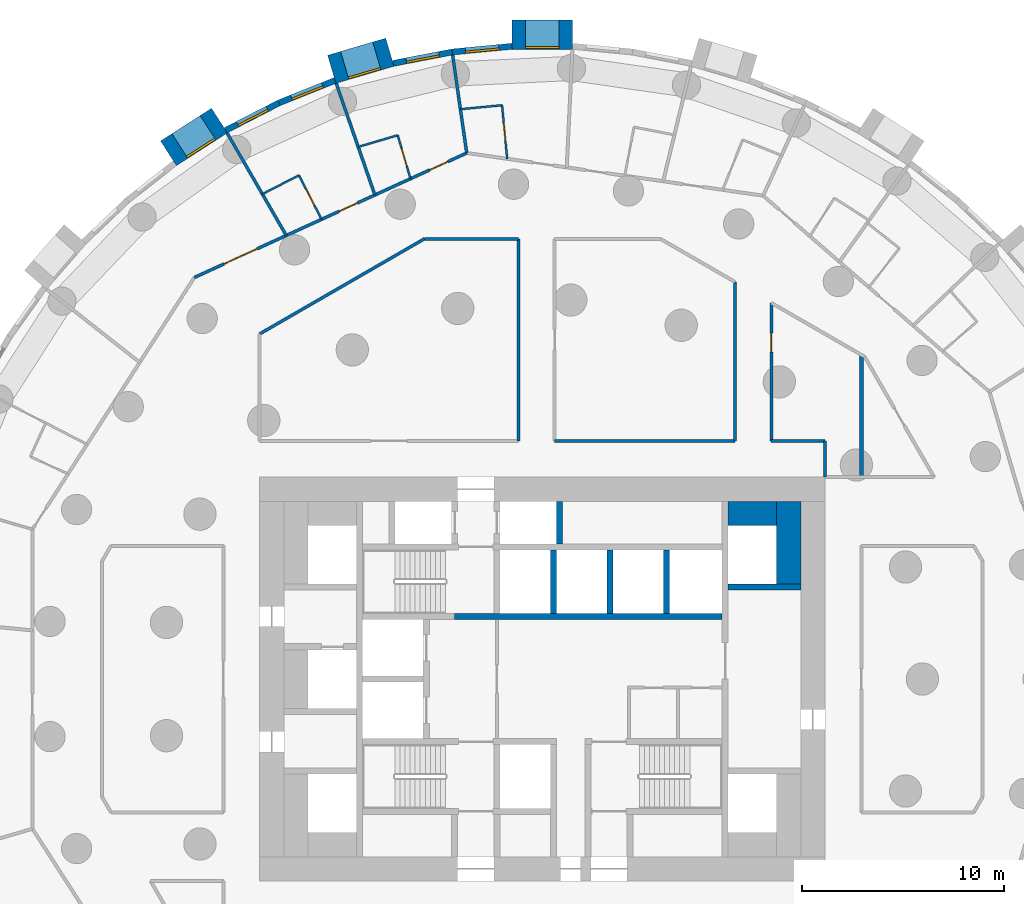
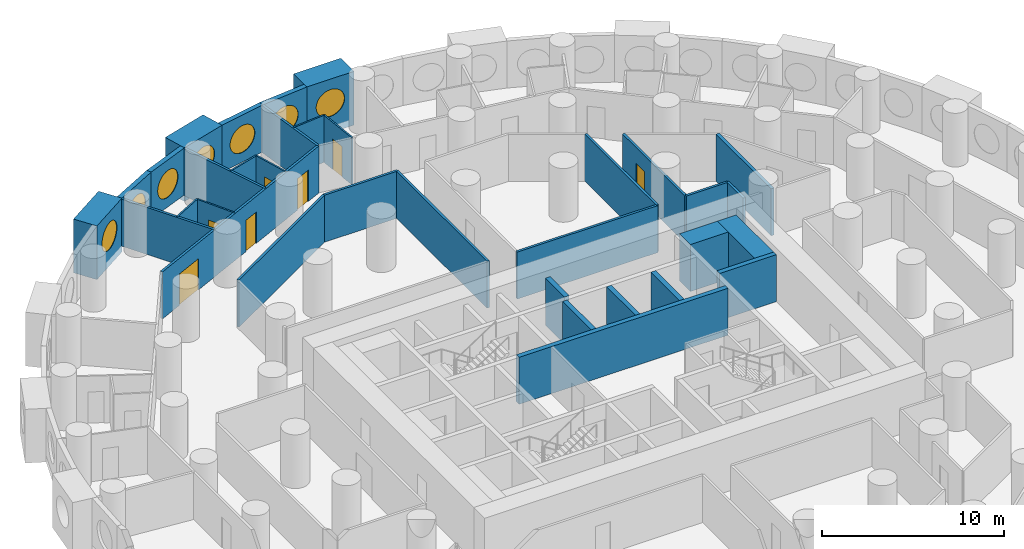
# One storey, part 8 of 12: 34 walls, 7 doors, 7 windows, 14 openings.
"""IFC4 building model written with IfcOpenShell, lengths in metres."""

import ifcopenshell
import ifcopenshell.guid

model = None  # the IFC model being written
_history = None  # IfcOwnerHistory: only IFC2X3 demands one
_inside = {}  # id of a spatial element -> (the spatial element, [elements in it])
_under = {}  # id of a project, library or spatial element -> (it, [spatial elements below it])
_declared = {}  # id of a project -> (the project, [libraries it declares])
_typed = {}  # id of a type object -> (the type object, [elements of that type])
_made_of = {}  # id of a material, layer set ... -> (it, [elements and type objects made of it])


def new_model(schema):
    """Start an empty IFC model of exactly this schema.

    Asked for "IFC4X3", IfcOpenShell would pick the latest addendum, in which some entities
    have other attributes; the version numbers below select the first issue.
    IFC2X3 requires an IfcOwnerHistory on every rooted entity: one is made here for all.
    """
    global model, _history
    if schema == "IFC4X3":
        model = ifcopenshell.file(schema_version=(4, 3, 0, 0))
    else:
        model = ifcopenshell.file(schema=schema)
    _inside.clear()
    _under.clear()
    _declared.clear()
    _typed.clear()
    _made_of.clear()
    _history = None
    if model.schema == "IFC2X3":
        org = make("IfcOrganization", Name="unknown")
        user = make(
            "IfcPersonAndOrganization",
            ThePerson=make("IfcPerson", FamilyName="unknown"),
            TheOrganization=org,
        )
        app = make(
            "IfcApplication",
            ApplicationDeveloper=org,
            Version="unknown",
            ApplicationFullName="unknown",
            ApplicationIdentifier="unknown",
        )
        _history = make(
            "IfcOwnerHistory",
            OwningUser=user,
            OwningApplication=app,
            ChangeAction="ADDED",
            CreationDate=0,
        )
    return model


def make(cls, **values):
    """One entity of the class cls with the attributes given. An attribute that is None is left unset."""
    return model.create_entity(
        cls, **{name: value for name, value in values.items() if value is not None}
    )


def rooted(cls, **values):
    """An entity with a GlobalId (a new one), such as an element, a storey or a relation."""
    return make(cls, GlobalId=ifcopenshell.guid.new(), OwnerHistory=_history, **values)


def si_unit(unit_type, name, prefix=None):
    """IfcSIUnit, for example si_unit("LENGTHUNIT", "METRE", prefix="MILLI")."""
    return make("IfcSIUnit", UnitType=unit_type, Prefix=prefix, Name=name)


def assignment(units):
    """IfcUnitAssignment: the units of a project."""
    return None if units is None else make("IfcUnitAssignment", Units=units)


def point(xyz):
    """IfcCartesianPoint."""
    return None if xyz is None else make("IfcCartesianPoint", Coordinates=xyz)


def direction(xyz):
    """IfcDirection."""
    return None if xyz is None else make("IfcDirection", DirectionRatios=xyz)


def frame(location, z_axis=None, x_axis=None):
    """IfcAxis2Placement3D, a coordinate frame: its origin and axes. An axis left out is left unset."""
    return make(
        "IfcAxis2Placement3D",
        Location=point(location),
        Axis=direction(z_axis),
        RefDirection=direction(x_axis),
    )


def frame_2d(location, x_axis=None):
    """IfcAxis2Placement2D, a coordinate frame in the plane: its origin and x axis."""
    return make(
        "IfcAxis2Placement2D", Location=point(location), RefDirection=direction(x_axis)
    )


def origin():
    """The frame at (0, 0, 0) with its axes left unset."""
    return frame((0.0, 0.0, 0.0))


def origin_2d():
    """The frame at (0, 0) in the plane with its x axis left unset."""
    return frame_2d((0.0, 0.0))


def place(relative_to, where):
    """IfcLocalPlacement: puts the frame where relative to a parent placement (None: the world)."""
    return make(
        "IfcLocalPlacement", PlacementRelTo=relative_to, RelativePlacement=where
    )


def context(
    kind, dimensions, precision=None, world=None, true_north=None, identifier=None
):
    """IfcGeometricRepresentationContext, for example the 3D "Model" context."""
    return make(
        "IfcGeometricRepresentationContext",
        ContextIdentifier=identifier,
        ContextType=kind,
        CoordinateSpaceDimension=dimensions,
        Precision=precision,
        WorldCoordinateSystem=world,
        TrueNorth=true_north,
    )


def subcontext(parent, identifier, kind, view, scale=None):
    """IfcGeometricRepresentationSubContext, for example "Body" below "Model"."""
    return make(
        "IfcGeometricRepresentationSubContext",
        ContextIdentifier=identifier,
        ContextType=kind,
        ParentContext=parent,
        TargetScale=scale,
        TargetView=view,
    )


def project(units=None, contexts=None):
    """IfcProject with its units and contexts."""
    return rooted(
        "IfcProject",
        Name="project",
        RepresentationContexts=contexts,
        UnitsInContext=assignment(units),
    )


def spatial(cls, under=None, at=None, **own):
    """A site, building, storey or space (cls), placed at a placement, below another one or the project."""
    s = rooted(cls, ObjectPlacement=at, **own)
    if under is not None:
        _under.setdefault(under.id(), (under, []))[1].append(s)
    return s


def profile(cls, at=None, kind="AREA", **sizes):
    """A parametric profile (cls). Its sizes go by their IFC names, for example OverallWidth=200.0."""
    return make(cls, ProfileType=kind, Position=at, **sizes)


def rectangle(**sizes):
    """IfcRectangleProfileDef."""
    return profile("IfcRectangleProfileDef", **sizes)


def circle(**sizes):
    """IfcCircleProfileDef."""
    return profile("IfcCircleProfileDef", **sizes)


def extrude(swept, where, along, depth):
    """IfcExtrudedAreaSolid: the profile swept, set in the frame where, extruded along a direction by depth."""
    return make(
        "IfcExtrudedAreaSolid",
        SweptArea=swept,
        Position=where,
        ExtrudedDirection=direction(along),
        Depth=depth,
    )


def shape(context_of_items, identifier, shape_type, items):
    """IfcShapeRepresentation: the items that make up one representation, for example the "Body"."""
    return make(
        "IfcShapeRepresentation",
        ContextOfItems=context_of_items,
        RepresentationIdentifier=identifier,
        RepresentationType=shape_type,
        Items=items,
    )


def material(Name=None, Category=None):
    """IfcMaterial."""
    return make("IfcMaterial", Name=Name, Category=Category)


def layer(
    of_material, thickness, ventilated=None, Name=None, Category=None, Priority=None
):
    """IfcMaterialLayer: one layer of a wall or slab, of a material (None: an air gap)."""
    return make(
        "IfcMaterialLayer",
        Material=of_material,
        LayerThickness=thickness,
        IsVentilated=ventilated,
        Name=Name,
        Category=Category,
        Priority=Priority,
    )


def layer_set(layers, Name=None):
    """IfcMaterialLayerSet."""
    return make("IfcMaterialLayerSet", MaterialLayers=layers, LayerSetName=Name)


def made_of(thing, what):
    """Note that an element or type object is made of a material, layer set ...; save() writes the relation."""
    if what is not None:
        _made_of.setdefault(what.id(), (what, []))[1].append(thing)
    return thing


def type_object(cls, material=None, **own):
    """A type object (cls), such as IfcWallType, which elements share."""
    return made_of(rooted(cls, **own), material)


def element(
    cls,
    number,
    at=None,
    inside=None,
    cuts=None,
    type_object=None,
    material=None,
    context=None,
    identifier="Body",
    shape_type=None,
    held_by="IfcProductDefinitionShape",
    body=None,
    shapes=None,
    **own,
):
    """One element of the class cls, such as IfcWall. Its Tag is "e" and its number.

    at: its placement. inside: the storey or other place that contains it. cuts: it is an
    opening in that element (IfcRelVoidsElement). A single representation is given by context,
    identifier, shape_type and body (its items); several are given by shapes. held_by: the class
    of the entity that holds the representations. save() writes the other relations.
    """
    e = rooted(cls, Tag="e%d" % number, ObjectPlacement=at, **own)
    if body is not None:
        shapes = [shape(context, identifier, shape_type, body)]
    if shapes is not None:
        e.Representation = make(held_by, Representations=shapes)
    if inside is not None:
        _inside.setdefault(inside.id(), (inside, []))[1].append(e)
    if cuts is not None:
        rooted(
            "IfcRelVoidsElement", RelatingBuildingElement=cuts, RelatedOpeningElement=e
        )
    if type_object is not None:
        _typed.setdefault(type_object.id(), (type_object, []))[1].append(e)
    return made_of(e, material)


def fill(opening, filler):
    """IfcRelFillsElement: the door or window that sits in an opening."""
    return rooted(
        "IfcRelFillsElement",
        RelatingOpeningElement=opening,
        RelatedBuildingElement=filler,
    )


def aggregate(whole, parts):
    """IfcRelAggregates: a whole, such as a stair, and the parts it consists of."""
    return rooted("IfcRelAggregates", RelatingObject=whole, RelatedObjects=parts)


def save(model, path):
    """Write the relations noted so far, then the file.

    IfcRelAggregates (storeys below a building ...), IfcRelContainedInSpatialStructure (elements
    in a storey), IfcRelDefinesByType, IfcRelAssociatesMaterial and IfcRelDeclares: one each for
    every whole, place, type object, material and project.
    """
    for whole, parts in _under.values():
        aggregate(whole, parts)
    for where, things in _inside.values():
        rooted(
            "IfcRelContainedInSpatialStructure",
            RelatedElements=things,
            RelatingStructure=where,
        )
    for kind, things in _typed.values():
        rooted("IfcRelDefinesByType", RelatedObjects=things, RelatingType=kind)
    for what, things in _made_of.values():
        rooted("IfcRelAssociatesMaterial", RelatedObjects=things, RelatingMaterial=what)
    for by, libraries in _declared.values():
        rooted("IfcRelDeclares", RelatingContext=by, RelatedDefinitions=libraries)
    model.write(path)


model = new_model("IFC4")

# Units and contexts
model_context = context("Model", 3, precision=1e-05, world=origin(), true_north=direction((0.0, 1.0)))
body_context = subcontext(model_context, "Body", "Model", "MODEL_VIEW")
ifc_project = project(units=[si_unit("LENGTHUNIT", "METRE"), si_unit("AREAUNIT", "SQUARE_METRE"), si_unit("VOLUMEUNIT", "CUBIC_METRE"), si_unit("PLANEANGLEUNIT", "RADIAN"), si_unit("MASSUNIT", "GRAM", prefix="KILO")], contexts=[model_context])

# Site, building, storey
site_placement = place(None, origin())
site = spatial("IfcSite", under=ifc_project, at=site_placement, CompositionType="ELEMENT")
building_placement = place(site_placement, origin())
building = spatial("IfcBuilding", under=site, at=building_placement, Name="Tracery Tower", CompositionType="ELEMENT")
storey_placement = place(building_placement, frame((0.0, 0.0, 53.39990234375)))
storey = spatial("IfcBuildingStorey", under=building, at=storey_placement, Name="L12", CompositionType="ELEMENT", Elevation=53.39990234375)

# Walls
ifc_material_1 = material(Name="Concrete C60/75", Category="concrete")
ifc_layer_1 = layer(ifc_material_1, 1.199951171875)
ifc_layer_set_1 = layer_set([ifc_layer_1], Name="Core strip wall 1200 C60")
wall_type_1 = type_object("IfcWallType", Name="Core strip wall 1200 C60", PredefinedType="SOLIDWALL", material=ifc_layer_set_1)
wall_1_placement = place(storey_placement, frame((12.199951171875, 4.699951171875, 0.0), z_axis=(0.0, 0.0, 1.0), x_axis=(0.0, 1.0, 0.0)))
element("IfcWall", 1, at=wall_1_placement, inside=storey, type_object=wall_type_1, Name="L12 wing strip +1 4.55", PredefinedType="SOLIDWALL", context=body_context, shape_type="SweptSolid", body=[
    extrude(rectangle(XDim=4.10009765625, YDim=1.199951171875, at=frame_2d((2.050048828125, 0.0))), origin(), (0.0, 0.0, 1.0), 3.150146484375),
])
wall_2_placement = place(storey_placement, frame((9.199951171875, 8.199951171875, 0.0), z_axis=(0.0, 0.0, 1.0), x_axis=(1.0, 0.0, 0.0)))
element("IfcWall", 2, at=wall_2_placement, inside=storey, type_object=wall_type_1, Name="L12 wing corner +1 +8.2", PredefinedType="SOLIDWALL", context=body_context, shape_type="SweptSolid", body=[
    extrude(rectangle(XDim=2.400146484375, YDim=1.199951171875, at=frame_2d((1.2001953125, 0.0))), origin(), (0.0, 0.0, 1.0), 3.150146484375),
])

# Wall, opening, window
ifc_material_2 = material(Name="Precast concrete C50/60", Category="concrete")
ifc_layer_2 = layer(ifc_material_2, 1.449951171875)
ifc_layer_set_2 = layer_set([ifc_layer_2], Name="Deep-set bay unit 3000 x 3600, slab edge 450")
wall_type_2 = type_object("IfcWallType", Name="Deep-set bay unit 3000 x 3600, slab edge 450", PredefinedType="ELEMENTEDWALL", material=ifc_layer_set_2)
wall_3_placement = place(storey_placement, frame((1.5, 31.913818359375, -0.449951171875), z_axis=(0.0, 0.0, 1.0), x_axis=(-1.0, 0.0, 0.0)))
wall_3 = element("IfcWall", 3, at=wall_3_placement, inside=storey, type_object=wall_type_2, Name="Deep-set bay unit 17 at L12", PredefinedType="ELEMENTEDWALL", context=body_context, shape_type="SweptSolid", body=[
    extrude(rectangle(XDim=3.0, YDim=1.449951171875, at=frame_2d((1.5, 0.0))), origin(), (0.0, 0.0, 1.0), 3.60009765625),
])
opening_1_placement = place(wall_3_placement, frame((1.5, 0.0, 2.0)))
opening_1 = element("IfcOpeningElement", 4, at=opening_1_placement, cuts=wall_3, Name="Opening WN1", PredefinedType="OPENING", context=body_context, shape_type="SweptSolid", body=[
    extrude(circle(Radius=0.9000244140625, at=origin_2d()), frame((0.0, 0.73486328125, 0.0), z_axis=(0.0, -1.0, 0.0), x_axis=(1.0, 0.0, 0.0)), (0.0, 0.0, 1.0), 1.469970703125),
])
ifc_material_3 = material(Name="Aluminium frame with tinted double glazing", Category="aluminium")
window_type = type_object("IfcWindowType", Name="Round window 1800", PartitioningType="SINGLE_PANEL", PredefinedType="WINDOW", material=ifc_material_3)
window_1_placement = place(opening_1_placement, origin())
window_1 = element("IfcWindow", 5, at=window_1_placement, inside=storey, type_object=window_type, Name="Round window 17 at L12", OverallHeight=1.800048828125, OverallWidth=1.800048828125, PartitioningType="SINGLE_PANEL", PredefinedType="WINDOW", context=body_context, shape_type="SweptSolid", body=[
    extrude(circle(Radius=0.9000244140625, at=origin_2d()), frame((0.0, 0.69482421875, 0.0), z_axis=(0.0, -1.0, 0.0), x_axis=(1.0, 0.0, 0.0)), (0.0, 0.0, 1.0), 0.10009765625),
])
fill(opening_1, window_1)

wall_4_placement = place(storey_placement, frame((-7.552001953125, 31.043701171875, -0.449951171875), z_axis=(0.0, 0.0, 1.0), x_axis=(-0.959489813418, -0.281743319258, 0.0)))
wall_4 = element("IfcWall", 6, at=wall_4_placement, inside=storey, type_object=wall_type_2, Name="Deep-set bay unit 20 at L12", PredefinedType="ELEMENTEDWALL", context=body_context, shape_type="SweptSolid", body=[
    extrude(rectangle(XDim=3.0, YDim=1.449951171875, at=frame_2d((1.5, 0.0))), origin(), (0.0, 0.0, 1.0), 3.60009765625),
])
opening_2_placement = place(wall_4_placement, frame((1.5, 0.0, 2.0)))
opening_2 = element("IfcOpeningElement", 7, at=opening_2_placement, cuts=wall_4, Name="Opening WN1", PredefinedType="OPENING", context=body_context, shape_type="SweptSolid", body=[
    extrude(circle(Radius=0.9000244140625, at=origin_2d()), frame((0.0, 0.73486328125, 0.0), z_axis=(0.0, -1.0, 0.0), x_axis=(1.0, 0.0, 0.0)), (0.0, 0.0, 1.0), 1.469970703125),
])
window_2_placement = place(opening_2_placement, origin())
window_2 = element("IfcWindow", 8, at=window_2_placement, inside=storey, type_object=window_type, Name="Round window 20 at L12", OverallHeight=1.800048828125, OverallWidth=1.800048828125, PartitioningType="SINGLE_PANEL", PredefinedType="WINDOW", context=body_context, shape_type="SweptSolid", body=[
    extrude(circle(Radius=0.9000244140625, at=origin_2d()), frame((0.0, 0.69482421875, 0.0), z_axis=(0.0, -1.0, 0.0), x_axis=(1.0, 0.0, 0.0)), (0.0, 0.0, 1.0), 0.10009765625),
])
fill(opening_2, window_2)

wall_5_placement = place(storey_placement, frame((-15.9921875, 27.65869140625, -0.449951171875), z_axis=(0.0, 0.0, 1.0), x_axis=(-0.841223422347, -0.540687667415, 0.0)))
wall_5 = element("IfcWall", 9, at=wall_5_placement, inside=storey, type_object=wall_type_2, Name="Deep-set bay unit 23 at L12", PredefinedType="ELEMENTEDWALL", context=body_context, shape_type="SweptSolid", body=[
    extrude(rectangle(XDim=3.0, YDim=1.449951171875, at=frame_2d((1.5, 0.0))), origin(), (0.0, 0.0, 1.0), 3.60009765625),
])
opening_3_placement = place(wall_5_placement, frame((1.5, 0.0, 2.0)))
opening_3 = element("IfcOpeningElement", 10, at=opening_3_placement, cuts=wall_5, Name="Opening WN1", PredefinedType="OPENING", context=body_context, shape_type="SweptSolid", body=[
    extrude(circle(Radius=0.9000244140625, at=origin_2d()), frame((0.0, 0.73486328125, 0.0), z_axis=(0.0, -1.0, 0.0), x_axis=(1.0, 0.0, 0.0)), (0.0, 0.0, 1.0), 1.469970703125),
])
window_3_placement = place(opening_3_placement, origin())
window_3 = element("IfcWindow", 11, at=window_3_placement, inside=storey, type_object=window_type, Name="Round window 23 at L12", OverallHeight=1.800048828125, OverallWidth=1.800048828125, PartitioningType="SINGLE_PANEL", PredefinedType="WINDOW", context=body_context, shape_type="SweptSolid", body=[
    extrude(circle(Radius=0.9000244140625, at=origin_2d()), frame((0.0, 0.69482421875, 0.0), z_axis=(0.0, -1.0, 0.0), x_axis=(1.0, 0.0, 0.0)), (0.0, 0.0, 1.0), 0.10009765625),
])
fill(opening_3, window_3)

ifc_material_4 = material(Name="Precast concrete C50/60", Category="concrete")
ifc_layer_3 = layer(ifc_material_4, 0.300048828125)
ifc_layer_set_3 = layer_set([ifc_layer_3], Name="Facade panel 3000 x 3150")
wall_type_3 = type_object("IfcWallType", Name="Facade panel 3000 x 3150", PredefinedType="SOLIDWALL", material=ifc_layer_set_3)
wall_6_placement = place(storey_placement, frame((-1.498779296875, 31.33837890625, 0.0), z_axis=(0.0, 0.0, 1.0), x_axis=(-0.995473351551, -0.095041077185, 0.0)))
wall_6 = element("IfcWall", 12, at=wall_6_placement, inside=storey, type_object=wall_type_3, Name="Facade panel 18 at L12", PredefinedType="SOLIDWALL", context=body_context, shape_type="SweptSolid", body=[
    extrude(rectangle(XDim=2.979736328125, YDim=0.300048828125, at=frame_2d((1.48974609375, 0.0))), origin(), (0.0, 0.0, 1.0), 3.150146484375),
])
opening_4_placement = place(wall_6_placement, frame((1.48974609375, 0.0, 1.5498046875)))
opening_4 = element("IfcOpeningElement", 13, at=opening_4_placement, cuts=wall_6, Name="Opening WN1", PredefinedType="OPENING", context=body_context, shape_type="SweptSolid", body=[
    extrude(circle(Radius=0.9000244140625, at=origin_2d()), frame((0.0, 0.159912109375, 0.0), z_axis=(0.0, -1.0, 0.0), x_axis=(1.0, 0.0, 0.0)), (0.0, 0.0, 1.0), 0.320068359375),
])
window_4_placement = place(opening_4_placement, origin())
window_4 = element("IfcWindow", 14, at=window_4_placement, inside=storey, type_object=window_type, Name="Round window 18 at L12", OverallHeight=1.800048828125, OverallWidth=1.800048828125, PartitioningType="SINGLE_PANEL", PredefinedType="WINDOW", context=body_context, shape_type="SweptSolid", body=[
    extrude(circle(Radius=0.9000244140625, at=origin_2d()), frame((0.0, 0.1201171875, 0.0), z_axis=(0.0, -1.0, 0.0), x_axis=(1.0, 0.0, 0.0)), (0.0, 0.0, 1.0), 0.10009765625),
])
fill(opening_4, window_4)

wall_7_placement = place(storey_placement, frame((-4.465087890625, 31.05517578125, 0.0), z_axis=(0.0, 0.0, 1.0), x_axis=(-0.981924535406, -0.189272836848, 0.0)))
wall_7 = element("IfcWall", 15, at=wall_7_placement, inside=storey, type_object=wall_type_3, Name="Facade panel 19 at L12", PredefinedType="SOLIDWALL", context=body_context, shape_type="SweptSolid", body=[
    extrude(rectangle(XDim=2.979736328125, YDim=0.300048828125, at=frame_2d((1.48974609375, 0.0))), origin(), (0.0, 0.0, 1.0), 3.150146484375),
])
opening_5_placement = place(wall_7_placement, frame((1.48974609375, 0.0, 1.5498046875)))
opening_5 = element("IfcOpeningElement", 16, at=opening_5_placement, cuts=wall_7, Name="Opening WN1", PredefinedType="OPENING", context=body_context, shape_type="SweptSolid", body=[
    extrude(circle(Radius=0.9000244140625, at=origin_2d()), frame((0.0, 0.159912109375, 0.0), z_axis=(0.0, -1.0, 0.0), x_axis=(1.0, 0.0, 0.0)), (0.0, 0.0, 1.0), 0.320068359375),
])
window_5_placement = place(opening_5_placement, origin())
window_5 = element("IfcWindow", 17, at=window_5_placement, inside=storey, type_object=window_type, Name="Round window 19 at L12", OverallHeight=1.800048828125, OverallWidth=1.800048828125, PartitioningType="SINGLE_PANEL", PredefinedType="WINDOW", context=body_context, shape_type="SweptSolid", body=[
    extrude(circle(Radius=0.9000244140625, at=origin_2d()), frame((0.0, 0.1201171875, 0.0), z_axis=(0.0, -1.0, 0.0), x_axis=(1.0, 0.0, 0.0)), (0.0, 0.0, 1.0), 0.10009765625),
])
fill(opening_5, window_5)

wall_8_placement = place(storey_placement, frame((-10.26708984375, 29.646484375, 0.0), z_axis=(0.0, 0.0, 1.0), x_axis=(-0.928403213937, -0.371574316054, 0.0)))
wall_8 = element("IfcWall", 18, at=wall_8_placement, inside=storey, type_object=wall_type_3, Name="Facade panel 21 at L12", PredefinedType="SOLIDWALL", context=body_context, shape_type="SweptSolid", body=[
    extrude(rectangle(XDim=2.979736328125, YDim=0.300048828125, at=frame_2d((1.48974609375, 0.0))), origin(), (0.0, 0.0, 1.0), 3.150146484375),
])
opening_6_placement = place(wall_8_placement, frame((1.48974609375, 0.0, 1.5498046875)))
opening_6 = element("IfcOpeningElement", 19, at=opening_6_placement, cuts=wall_8, Name="Opening WN1", PredefinedType="OPENING", context=body_context, shape_type="SweptSolid", body=[
    extrude(circle(Radius=0.9000244140625, at=origin_2d()), frame((0.0, 0.159912109375, 0.0), z_axis=(0.0, -1.0, 0.0), x_axis=(1.0, 0.0, 0.0)), (0.0, 0.0, 1.0), 0.320068359375),
])
window_6_placement = place(opening_6_placement, origin())
window_6 = element("IfcWindow", 20, at=window_6_placement, inside=storey, type_object=window_type, Name="Round window 21 at L12", OverallHeight=1.800048828125, OverallWidth=1.800048828125, PartitioningType="SINGLE_PANEL", PredefinedType="WINDOW", context=body_context, shape_type="SweptSolid", body=[
    extrude(circle(Radius=0.9000244140625, at=origin_2d()), frame((0.0, 0.1201171875, 0.0), z_axis=(0.0, -1.0, 0.0), x_axis=(1.0, 0.0, 0.0)), (0.0, 0.0, 1.0), 0.10009765625),
])
fill(opening_6, window_6)

wall_9_placement = place(storey_placement, frame((-13.033447265625, 28.539306640625, 0.0), z_axis=(0.0, 0.0, 1.0), x_axis=(-0.888819853856, -0.458256770153, 0.0)))
wall_9 = element("IfcWall", 21, at=wall_9_placement, inside=storey, type_object=wall_type_3, Name="Facade panel 22 at L12", PredefinedType="SOLIDWALL", context=body_context, shape_type="SweptSolid", body=[
    extrude(rectangle(XDim=2.979736328125, YDim=0.300048828125, at=frame_2d((1.48974609375, 0.0))), origin(), (0.0, 0.0, 1.0), 3.150146484375),
])
opening_7_placement = place(wall_9_placement, frame((1.48974609375, 0.0, 1.5498046875)))
opening_7 = element("IfcOpeningElement", 22, at=opening_7_placement, cuts=wall_9, Name="Opening WN1", PredefinedType="OPENING", context=body_context, shape_type="SweptSolid", body=[
    extrude(circle(Radius=0.9000244140625, at=origin_2d()), frame((0.0, 0.159912109375, 0.0), z_axis=(0.0, -1.0, 0.0), x_axis=(1.0, 0.0, 0.0)), (0.0, 0.0, 1.0), 0.320068359375),
])
window_7_placement = place(opening_7_placement, origin())
window_7 = element("IfcWindow", 23, at=window_7_placement, inside=storey, type_object=window_type, Name="Round window 22 at L12", OverallHeight=1.800048828125, OverallWidth=1.800048828125, PartitioningType="SINGLE_PANEL", PredefinedType="WINDOW", context=body_context, shape_type="SweptSolid", body=[
    extrude(circle(Radius=0.9000244140625, at=origin_2d()), frame((0.0, 0.1201171875, 0.0), z_axis=(0.0, -1.0, 0.0), x_axis=(1.0, 0.0, 0.0)), (0.0, 0.0, 1.0), 0.10009765625),
])
fill(opening_7, window_7)

# Wall, opening, door
ifc_material_5 = material(Name="Plasterboard on steel studs", Category="steel")
ifc_layer_4 = layer(ifc_material_5, 0.10009765625)
ifc_layer_set_4 = layer_set([ifc_layer_4], Name="Partition 100 wet wall")
wall_type_4 = type_object("IfcWallType", Name="Partition 100 wet wall", PredefinedType="PARTITIONING", material=ifc_layer_set_4)
wall_10_placement = place(storey_placement, frame((-1.99609375, 28.41796875, 0.0), z_axis=(0.0, 0.0, 1.0), x_axis=(0.094925726797, -0.995484357683, 0.0)))
wall_10 = element("IfcWall", 24, at=wall_10_placement, inside=storey, type_object=wall_type_4, Name="Wet wall RA3-077", PredefinedType="PARTITIONING", context=body_context, shape_type="SweptSolid", body=[
    extrude(rectangle(XDim=2.6669921875, YDim=0.10009765625, at=frame_2d((1.33349609375, 0.0))), origin(), (0.0, 0.0, 1.0), 3.150146484375),
])
opening_8_placement = place(wall_10_placement, frame((0.883056640625, 0.0, 0.0)))
opening_8 = element("IfcOpeningElement", 25, at=opening_8_placement, cuts=wall_10, Name="Opening RA3-22", PredefinedType="OPENING", context=body_context, shape_type="SweptSolid", body=[
    extrude(rectangle(XDim=0.89990234375, YDim=2.0400390625, at=frame_2d((0.449951171875, 1.02001953125))), frame((0.0, 0.050048828125, 0.0), z_axis=(0.0, -1.0, 0.0), x_axis=(1.0, 0.0, 0.0)), (0.0, 0.0, 1.0), 0.10009765625),
])
ifc_material_6 = material(Name="Timber door leaf", Category="wood")
door_type_1 = type_object("IfcDoorType", Name="Door en-suite 900", OperationType="NOTDEFINED", PredefinedType="DOOR", material=ifc_material_6)
door_1_placement = place(opening_8_placement, origin())
door_1 = element("IfcDoor", 26, at=door_1_placement, inside=storey, type_object=door_type_1, Name="En-suite door RA3-22", OperationType="SINGLE_SWING_RIGHT", OverallHeight=2.0400390625, OverallWidth=0.89990234375, PredefinedType="DOOR", context=body_context, shape_type="SweptSolid", body=[
    extrude(rectangle(XDim=0.89990234375, YDim=2.0400390625, at=frame_2d((0.449951171875, 1.02001953125))), frame((0.0, 0.02490234375, 0.0), z_axis=(0.0, -1.0, 0.0), x_axis=(1.0, 0.0, 0.0)), (0.0, 0.0, 1.0), 0.050048828125),
])
fill(opening_8, door_1)

# Wall
wall_11_placement = place(storey_placement, frame((-4.05810546875, 28.220947265625, 0.0), z_axis=(0.0, 0.0, 1.0), x_axis=(0.995466291052, 0.095115000814, 0.0)))
element("IfcWall", 27, at=wall_11_placement, inside=storey, type_object=wall_type_4, Name="Wet wall RA3-078", PredefinedType="PARTITIONING", context=body_context, shape_type="SweptSolid", body=[
    extrude(rectangle(XDim=2.0712890625, YDim=0.10009765625, at=frame_2d((1.03564453125, 0.0))), origin(), (0.0, 0.0, 1.0), 3.150146484375),
])

# Wall, opening, door
wall_12_placement = place(storey_placement, frame((-7.1630859375, 26.929931640625, 0.0), z_axis=(0.0, 0.0, 1.0), x_axis=(0.281948165188, -0.959429638977, 0.0)))
wall_12 = element("IfcWall", 28, at=wall_12_placement, inside=storey, type_object=wall_type_4, Name="Wet wall RA3-080", PredefinedType="PARTITIONING", context=body_context, shape_type="SweptSolid", body=[
    extrude(rectangle(XDim=2.241943359375, YDim=0.10009765625, at=frame_2d((1.12109375, 0.0))), origin(), (0.0, 0.0, 1.0), 3.150146484375),
])
opening_9_placement = place(wall_12_placement, frame((0.6708984375, 0.0, 0.0)))
opening_9 = element("IfcOpeningElement", 29, at=opening_9_placement, cuts=wall_12, Name="Opening RA3-24", PredefinedType="OPENING", context=body_context, shape_type="SweptSolid", body=[
    extrude(rectangle(XDim=0.89990234375, YDim=2.0400390625, at=frame_2d((0.449951171875, 1.02001953125))), frame((0.0, 0.050048828125, 0.0), z_axis=(0.0, -1.0, 0.0), x_axis=(1.0, 0.0, 0.0)), (0.0, 0.0, 1.0), 0.10009765625),
])
door_2_placement = place(opening_9_placement, origin())
door_2 = element("IfcDoor", 30, at=door_2_placement, inside=storey, type_object=door_type_1, Name="En-suite door RA3-24", OperationType="SINGLE_SWING_RIGHT", OverallHeight=2.0400390625, OverallWidth=0.89990234375, PredefinedType="DOOR", context=body_context, shape_type="SweptSolid", body=[
    extrude(rectangle(XDim=0.89990234375, YDim=2.0400390625, at=frame_2d((0.449951171875, 1.02001953125))), frame((0.0, 0.02490234375, 0.0), z_axis=(0.0, -1.0, 0.0), x_axis=(1.0, 0.0, 0.0)), (0.0, 0.0, 1.0), 0.050048828125),
])
fill(opening_9, door_2)

# Wall
wall_13_placement = place(storey_placement, frame((-9.12109375, 26.35498046875, 0.0), z_axis=(0.0, 0.0, 1.0), x_axis=(0.95948923736, 0.281745281045, 0.0)))
element("IfcWall", 31, at=wall_13_placement, inside=storey, type_object=wall_type_4, Name="Wet wall RA3-081", PredefinedType="PARTITIONING", context=body_context, shape_type="SweptSolid", body=[
    extrude(rectangle(XDim=2.040771484375, YDim=0.10009765625, at=frame_2d((1.0205078125, 0.0))), origin(), (0.0, 0.0, 1.0), 3.150146484375),
])

# Wall, opening, door
wall_14_placement = place(storey_placement, frame((-12.05810546875, 24.947998046875, 0.0), z_axis=(0.0, 0.0, 1.0), x_axis=(0.458287904527, -0.888803800939, 0.0)))
wall_14 = element("IfcWall", 32, at=wall_14_placement, inside=storey, type_object=wall_type_4, Name="Wet wall RA3-083", PredefinedType="PARTITIONING", context=body_context, shape_type="SweptSolid", body=[
    extrude(rectangle(XDim=2.45263671875, YDim=0.10009765625, at=frame_2d((1.226318359375, 0.0))), origin(), (0.0, 0.0, 1.0), 3.150146484375),
])
opening_10_placement = place(wall_14_placement, frame((0.776611328125, 0.0, 0.0)))
opening_10 = element("IfcOpeningElement", 33, at=opening_10_placement, cuts=wall_14, Name="Opening RA3-26", PredefinedType="OPENING", context=body_context, shape_type="SweptSolid", body=[
    extrude(rectangle(XDim=0.89990234375, YDim=2.0400390625, at=frame_2d((0.449951171875, 1.02001953125))), frame((0.0, 0.050048828125, 0.0), z_axis=(0.0, -1.0, 0.0), x_axis=(1.0, 0.0, 0.0)), (0.0, 0.0, 1.0), 0.10009765625),
])
door_3_placement = place(opening_10_placement, origin())
door_3 = element("IfcDoor", 34, at=door_3_placement, inside=storey, type_object=door_type_1, Name="En-suite door RA3-26", OperationType="SINGLE_SWING_LEFT", OverallHeight=2.0400390625, OverallWidth=0.89990234375, PredefinedType="DOOR", context=body_context, shape_type="SweptSolid", body=[
    extrude(rectangle(XDim=0.89990234375, YDim=2.0400390625, at=frame_2d((0.449951171875, 1.02001953125))), frame((0.0, 0.02490234375, 0.0), z_axis=(0.0, -1.0, 0.0), x_axis=(1.0, 0.0, 0.0)), (0.0, 0.0, 1.0), 0.050048828125),
])
fill(opening_10, door_3)

# Walls
wall_15_placement = place(storey_placement, frame((-13.865966796875, 24.01611328125, 0.0), z_axis=(0.0, 0.0, 1.0), x_axis=(0.888861985525, 0.45817504372, 0.0)))
element("IfcWall", 35, at=wall_15_placement, inside=storey, type_object=wall_type_4, Name="Wet wall RA3-084", PredefinedType="PARTITIONING", context=body_context, shape_type="SweptSolid", body=[
    extrude(rectangle(XDim=2.033935546875, YDim=0.10009765625, at=frame_2d((1.01708984375, 0.0))), origin(), (0.0, 0.0, 1.0), 3.150146484375),
])
ifc_material_7 = material(Name="Plasterboard on steel studs", Category="steel")
ifc_layer_5 = layer(ifc_material_7, 0.14990234375)
ifc_layer_set_5 = layer_set([ifc_layer_5], Name="Partition 150 acoustic unit wall")
wall_type_5 = type_object("IfcWallType", Name="Partition 150 acoustic unit wall", PredefinedType="PARTITIONING", material=ifc_layer_set_5)
wall_16_placement = place(storey_placement, frame((-4.444091796875, 30.906005859375, 0.0), z_axis=(0.0, 0.0, 1.0), x_axis=(0.142104219222, -0.989851701458, 0.0)))
element("IfcWall", 36, at=wall_16_placement, inside=storey, type_object=wall_type_5, Name="Unit wall RA3-079", PredefinedType="PARTITIONING", context=body_context, shape_type="SweptSolid", body=[
    extrude(rectangle(XDim=4.905029296875, YDim=0.14990234375, at=frame_2d((2.45263671875, 0.0))), origin(), (0.0, 0.0, 1.0), 3.150146484375),
])
wall_17_placement = place(storey_placement, frame((-10.2119140625, 29.507080078125, 0.0), z_axis=(0.0, 0.0, 1.0), x_axis=(0.327223665968, -0.944946915139, 0.0)))
element("IfcWall", 37, at=wall_17_placement, inside=storey, type_object=wall_type_5, Name="Unit wall RA3-082", PredefinedType="PARTITIONING", context=body_context, shape_type="SweptSolid", body=[
    extrude(rectangle(XDim=5.85693359375, YDim=0.14990234375, at=frame_2d((2.928466796875, 0.0))), origin(), (0.0, 0.0, 1.0), 3.150146484375),
])
wall_18_placement = place(storey_placement, frame((-15.612060546875, 27.041015625, 0.0), z_axis=(0.0, 0.0, 1.0), x_axis=(0.499905289531, -0.866080077994, 0.0)))
element("IfcWall", 38, at=wall_18_placement, inside=storey, type_object=wall_type_5, Name="Unit wall RA3-085", PredefinedType="PARTITIONING", context=body_context, shape_type="SweptSolid", body=[
    extrude(rectangle(XDim=5.856689453125, YDim=0.14990234375, at=frame_2d((2.92822265625, 0.0))), origin(), (0.0, 0.0, 1.0), 3.150146484375),
])
ifc_material_8 = material(Name="Plasterboard on steel studs", Category="steel")
ifc_layer_6 = layer(ifc_material_8, 0.14990234375)
ifc_layer_set_6 = layer_set([ifc_layer_6], Name="Partition 150 corridor wall")
wall_type_6 = type_object("IfcWallType", Name="Partition 150 corridor wall", PredefinedType="PARTITIONING", material=ifc_layer_set_6)
wall_19_placement = place(storey_placement, frame((0.60400390625, 11.800048828125, 0.0), z_axis=(0.0, 0.0, 1.0), x_axis=(1.0, 0.0, 0.0)))
element("IfcWall", 39, at=wall_19_placement, inside=storey, type_object=wall_type_6, Name="Corridor wall RA3-002", PredefinedType="PARTITIONING", context=body_context, shape_type="SweptSolid", body=[
    extrude(rectangle(XDim=8.93603515625, YDim=0.14990234375, at=frame_2d((4.468017578125, 0.0))), origin(), (0.0, 0.0, 1.0), 3.150146484375),
])
wall_20_placement = place(storey_placement, frame((11.33203125, 11.800048828125, 0.0), z_axis=(0.0, 0.0, 1.0), x_axis=(1.0, 0.0, 0.0)))
element("IfcWall", 40, at=wall_20_placement, inside=storey, type_object=wall_type_6, Name="Corridor wall RA3-003", PredefinedType="PARTITIONING", context=body_context, shape_type="SweptSolid", body=[
    extrude(rectangle(XDim=2.66796875, YDim=0.14990234375, at=frame_2d((1.333984375, 0.0))), origin(), (0.0, 0.0, 1.0), 3.150146484375),
])
wall_21_placement = place(storey_placement, frame((14.0, 10.0, 0.0), z_axis=(0.0, 0.0, 1.0), x_axis=(0.0, 1.0, 0.0)))
element("IfcWall", 41, at=wall_21_placement, inside=storey, type_object=wall_type_6, Name="Corridor wall RA3-004", PredefinedType="PARTITIONING", context=body_context, shape_type="SweptSolid", body=[
    extrude(rectangle(XDim=1.800048828125, YDim=0.14990234375, at=frame_2d((0.89990234375, 0.0))), origin(), (0.0, 0.0, 1.0), 3.150146484375),
])
wall_22_placement = place(storey_placement, frame((-1.19189453125, 11.800048828125, 0.0), z_axis=(0.0, 0.0, 1.0), x_axis=(0.0, 1.0, 0.0)))
element("IfcWall", 42, at=wall_22_placement, inside=storey, type_object=wall_type_6, Name="Corridor wall RA3-025", PredefinedType="PARTITIONING", context=body_context, shape_type="SweptSolid", body=[
    extrude(rectangle(XDim=10.001953125, YDim=0.14990234375, at=frame_2d((5.0009765625, 0.0))), origin(), (0.0, 0.0, 1.0), 3.150146484375),
])
wall_23_placement = place(storey_placement, frame((-5.842041015625, 21.802001953125, 0.0), z_axis=(0.0, 0.0, 1.0), x_axis=(1.0, 0.0, 0.0)))
element("IfcWall", 43, at=wall_23_placement, inside=storey, type_object=wall_type_6, Name="Corridor wall RA3-026", PredefinedType="PARTITIONING", context=body_context, shape_type="SweptSolid", body=[
    extrude(rectangle(XDim=4.650146484375, YDim=0.14990234375, at=frame_2d((2.3251953125, 0.0))), origin(), (0.0, 0.0, 1.0), 3.150146484375),
])
wall_24_placement = place(storey_placement, frame((-14.0, 17.092041015625, 0.0), z_axis=(0.0, 0.0, 1.0), x_axis=(0.86602719091, 0.499996904595, 0.0)))
element("IfcWall", 44, at=wall_24_placement, inside=storey, type_object=wall_type_6, Name="Corridor wall RA3-027", PredefinedType="PARTITIONING", context=body_context, shape_type="SweptSolid", body=[
    extrude(rectangle(XDim=9.419921875, YDim=0.14990234375, at=frame_2d((4.7099609375, 0.0))), origin(), (0.0, 0.0, 1.0), 3.150146484375),
])
wall_25_placement = place(storey_placement, frame((9.535888671875, 11.800048828125, 0.0), z_axis=(0.0, 0.0, 1.0), x_axis=(0.0, 1.0, 0.0)))
element("IfcWall", 45, at=wall_25_placement, inside=storey, type_object=wall_type_6, Name="Corridor wall RA3-029", PredefinedType="PARTITIONING", context=body_context, shape_type="SweptSolid", body=[
    extrude(rectangle(XDim=7.868896484375, YDim=0.14990234375, at=frame_2d((3.9345703125, 0.0))), origin(), (0.0, 0.0, 1.0), 3.150146484375),
])

# Wall, opening, door
wall_26_placement = place(storey_placement, frame((11.3359375, 11.800048828125, 0.0), z_axis=(0.0, 0.0, 1.0), x_axis=(0.0, 1.0, 0.0)))
wall_26 = element("IfcWall", 46, at=wall_26_placement, inside=storey, type_object=wall_type_6, Name="Corridor wall RA3-034", PredefinedType="PARTITIONING", context=body_context, shape_type="SweptSolid", body=[
    extrude(rectangle(XDim=6.829833984375, YDim=0.14990234375, at=frame_2d((3.4150390625, 0.0))), origin(), (0.0, 0.0, 1.0), 3.150146484375),
])
opening_11_placement = place(wall_26_placement, frame((4.389892578125, 0.0, 0.0)))
opening_11 = element("IfcOpeningElement", 47, at=opening_11_placement, cuts=wall_26, Name="Opening RA3-03", PredefinedType="OPENING", context=body_context, shape_type="SweptSolid", body=[
    extrude(rectangle(XDim=0.949951171875, YDim=2.10009765625, at=frame_2d((0.47509765625, 1.050048828125))), frame((0.0, 0.074951171875, 0.0), z_axis=(0.0, -1.0, 0.0), x_axis=(1.0, 0.0, 0.0)), (0.0, 0.0, 1.0), 0.14990234375),
])
ifc_material_9 = material(Name="Timber door leaf", Category="wood")
door_type_2 = type_object("IfcDoorType", Name="Door store 950", OperationType="NOTDEFINED", PredefinedType="DOOR", material=ifc_material_9)
door_4_placement = place(opening_11_placement, origin())
door_4 = element("IfcDoor", 48, at=door_4_placement, inside=storey, type_object=door_type_2, Name="Store door RA3-03", OperationType="SINGLE_SWING_LEFT", OverallHeight=2.10009765625, OverallWidth=0.949951171875, PredefinedType="DOOR", context=body_context, shape_type="SweptSolid", body=[
    extrude(rectangle(XDim=0.949951171875, YDim=2.10009765625, at=frame_2d((0.47509765625, 1.050048828125))), frame((0.0, 0.02490234375, 0.0), z_axis=(0.0, -1.0, 0.0), x_axis=(1.0, 0.0, 0.0)), (0.0, 0.0, 1.0), 0.050048828125),
])
fill(opening_11, door_4)

# Wall, openings, doors
wall_27_placement = place(storey_placement, frame((-17.23388671875, 19.8876953125, 0.0), z_axis=(0.0, 0.0, 1.0), x_axis=(0.90953867323, 0.415619299238, 0.0)))
wall_27 = element("IfcWall", 49, at=wall_27_placement, inside=storey, type_object=wall_type_6, Name="Corridor wall RA3-036", PredefinedType="PARTITIONING", context=body_context, shape_type="SweptSolid", body=[
    extrude(rectangle(XDim=14.829345703125, YDim=0.14990234375, at=frame_2d((7.41455078125, 0.0))), origin(), (0.0, 0.0, 1.0), 3.150146484375),
])
opening_12_placement = place(wall_27_placement, frame((12.797119140625, 0.0, 0.0)))
opening_12 = element("IfcOpeningElement", 50, at=opening_12_placement, cuts=wall_27, Name="Opening RA3-25", PredefinedType="OPENING", context=body_context, shape_type="SweptSolid", body=[
    extrude(rectangle(XDim=1.0, YDim=2.10009765625, at=frame_2d((0.5, 1.050048828125))), frame((0.0, 0.074951171875, 0.0), z_axis=(0.0, -1.0, 0.0), x_axis=(1.0, 0.0, 0.0)), (0.0, 0.0, 1.0), 0.14990234375),
])
opening_13_placement = place(wall_27_placement, frame((7.876708984375, 0.0, 0.0)))
opening_13 = element("IfcOpeningElement", 51, at=opening_13_placement, cuts=wall_27, Name="Opening RA3-27", PredefinedType="OPENING", context=body_context, shape_type="SweptSolid", body=[
    extrude(rectangle(XDim=1.0, YDim=2.10009765625, at=frame_2d((0.5, 1.050048828125))), frame((0.0, 0.074951171875, 0.0), z_axis=(0.0, -1.0, 0.0), x_axis=(1.0, 0.0, 0.0)), (0.0, 0.0, 1.0), 0.14990234375),
])
opening_14_placement = place(wall_27_placement, frame((1.60400390625, 0.0, 0.0)))
opening_14 = element("IfcOpeningElement", 52, at=opening_14_placement, cuts=wall_27, Name="Opening RA3-28", PredefinedType="OPENING", context=body_context, shape_type="SweptSolid", body=[
    extrude(rectangle(XDim=1.800048828125, YDim=2.10009765625, at=frame_2d((0.89990234375, 1.050048828125))), frame((0.0, 0.074951171875, 0.0), z_axis=(0.0, -1.0, 0.0), x_axis=(1.0, 0.0, 0.0)), (0.0, 0.0, 1.0), 0.14990234375),
])
ifc_material_10 = material(Name="Timber door leaf", Category="wood")
door_type_3 = type_object("IfcDoorType", Name="Door double lounge 1800", OperationType="NOTDEFINED", PredefinedType="DOOR", material=ifc_material_10)
door_5_placement = place(opening_14_placement, origin())
door_5 = element("IfcDoor", 53, at=door_5_placement, inside=storey, type_object=door_type_3, Name="Double lounge door RA3-28", OperationType="DOUBLE_DOOR_SINGLE_SWING", OverallHeight=2.10009765625, OverallWidth=1.800048828125, PredefinedType="DOOR", context=body_context, shape_type="SweptSolid", body=[
    extrude(rectangle(XDim=1.800048828125, YDim=2.10009765625, at=frame_2d((0.89990234375, 1.050048828125))), frame((0.0, 0.02490234375, 0.0), z_axis=(0.0, -1.0, 0.0), x_axis=(1.0, 0.0, 0.0)), (0.0, 0.0, 1.0), 0.050048828125),
])
fill(opening_14, door_5)
ifc_material_11 = material(Name="Timber door leaf", Category="wood")
door_type_4 = type_object("IfcDoorType", Name="Door unit entrance 1000", OperationType="NOTDEFINED", PredefinedType="DOOR", material=ifc_material_11)
door_6_placement = place(opening_12_placement, origin())
door_6 = element("IfcDoor", 54, at=door_6_placement, inside=storey, type_object=door_type_4, Name="Unit entrance door RA3-25", OperationType="SINGLE_SWING_RIGHT", OverallHeight=2.10009765625, OverallWidth=1.0, PredefinedType="DOOR", context=body_context, shape_type="SweptSolid", body=[
    extrude(rectangle(XDim=1.0, YDim=2.10009765625, at=frame_2d((0.5, 1.050048828125))), frame((0.0, 0.02490234375, 0.0), z_axis=(0.0, -1.0, 0.0), x_axis=(1.0, 0.0, 0.0)), (0.0, 0.0, 1.0), 0.050048828125),
])
fill(opening_12, door_6)
door_7_placement = place(opening_13_placement, origin())
door_7 = element("IfcDoor", 55, at=door_7_placement, inside=storey, type_object=door_type_4, Name="Unit entrance door RA3-27", OperationType="SINGLE_SWING_LEFT", OverallHeight=2.10009765625, OverallWidth=1.0, PredefinedType="DOOR", context=body_context, shape_type="SweptSolid", body=[
    extrude(rectangle(XDim=1.0, YDim=2.10009765625, at=frame_2d((0.5, 1.050048828125))), frame((0.0, 0.02490234375, 0.0), z_axis=(0.0, -1.0, 0.0), x_axis=(1.0, 0.0, 0.0)), (0.0, 0.0, 1.0), 0.050048828125),
])
fill(opening_13, door_7)

# Walls
ifc_material_12 = material(Name="Plasterboard on steel studs", Category="steel")
ifc_layer_7 = layer(ifc_material_12, 0.199951171875)
ifc_layer_set_7 = layer_set([ifc_layer_7], Name="Partition 200 compartment wall")
wall_type_7 = type_object("IfcWallType", Name="Partition 200 compartment wall", PredefinedType="PARTITIONING", material=ifc_layer_set_7)
wall_28_placement = place(storey_placement, frame((15.800048828125, 10.0, 0.0), z_axis=(0.0, 0.0, 1.0), x_axis=(0.0, 1.0, 0.0)))
element("IfcWall", 56, at=wall_28_placement, inside=storey, type_object=wall_type_7, Name="Compartment wall RA3-058", PredefinedType="PARTITIONING", context=body_context, shape_type="SweptSolid", body=[
    extrude(rectangle(XDim=6.052978515625, YDim=0.199951171875, at=frame_2d((3.0263671875, 0.0))), origin(), (0.0, 0.0, 1.0), 3.150146484375),
])
ifc_material_13 = material(Name="Concrete C60/75", Category="concrete")
ifc_layer_8 = layer(ifc_material_13, 0.300048828125)
ifc_layer_set_8 = layer_set([ifc_layer_8], Name="Shaft wall 300 C60")
wall_type_8 = type_object("IfcWallType", Name="Shaft wall 300 C60", PredefinedType="SOLIDWALL", material=ifc_layer_set_8)
for number, where, z_axis, x_axis, name in (
    (57, (0.550048828125, 3.25, 0.0), (0.0, 0.0, 1.0), (0.0, 1.0, 0.0), "L12 HR sep 1"),
    (58, (3.35009765625, 3.25, 0.0), (0.0, 0.0, 1.0), (0.0, 1.0, 0.0), "L12 HR sep 2"),
    (59, (6.14990234375, 3.25, 0.0), (0.0, 0.0, 1.0), (0.0, 1.0, 0.0), "L12 HR sep 3"),
):
    element("IfcWall", number, at=place(storey_placement, frame(where, z_axis=z_axis, x_axis=x_axis)), inside=storey, type_object=wall_type_8, Name=name, PredefinedType="SOLIDWALL", context=body_context, shape_type="SweptSolid", body=[
        extrude(rectangle(XDim=3.14990234375, YDim=0.300048828125, at=frame_2d((1.574951171875, 0.0))), origin(), (0.0, 0.0, 1.0), 3.150146484375),
    ])
wall_29_placement = place(storey_placement, frame((0.85009765625, 6.699951171875, 0.0), z_axis=(0.0, 0.0, 1.0), x_axis=(0.0, 1.0, 0.0)))
element("IfcWall", 60, at=wall_29_placement, inside=storey, type_object=wall_type_8, Name="L12 LR sep 0.85", PredefinedType="SOLIDWALL", context=body_context, shape_type="SweptSolid", body=[
    extrude(rectangle(XDim=2.10009765625, YDim=0.300048828125, at=frame_2d((1.050048828125, 0.0))), origin(), (0.0, 0.0, 1.0), 3.150146484375),
])
wall_30_placement = place(storey_placement, frame((9.199951171875, 4.550048828125, 0.0), z_axis=(0.0, 0.0, 1.0), x_axis=(1.0, 0.0, 0.0)))
element("IfcWall", 61, at=wall_30_placement, inside=storey, type_object=wall_type_8, Name="L12 wing shaft wall +1 +4.55", PredefinedType="SOLIDWALL", context=body_context, shape_type="SweptSolid", body=[
    extrude(rectangle(XDim=3.60009765625, YDim=0.300048828125, at=frame_2d((1.800048828125, 0.0))), origin(), (0.0, 0.0, 1.0), 3.150146484375),
])
ifc_material_14 = material(Name="Concrete C60/75", Category="concrete")
ifc_layer_9 = layer(ifc_material_14, 0.300048828125)
ifc_layer_set_9 = layer_set([ifc_layer_9], Name="Stair wall 300 C60")
wall_type_9 = type_object("IfcWallType", Name="Stair wall 300 C60", PredefinedType="SOLIDWALL", material=ifc_layer_set_9)
wall_31_placement = place(storey_placement, frame((-4.35009765625, 3.10009765625, 0.0), z_axis=(0.0, 0.0, 1.0), x_axis=(1.0, 0.0, 0.0)))
element("IfcWall", 62, at=wall_31_placement, inside=storey, type_object=wall_type_9, Name="L12 row N", PredefinedType="SOLIDWALL", context=body_context, shape_type="SweptSolid", body=[
    extrude(rectangle(XDim=13.25, YDim=0.300048828125, at=frame_2d((6.625, 0.0))), origin(), (0.0, 0.0, 1.0), 3.150146484375),
])

save(model, "model.ifc")
